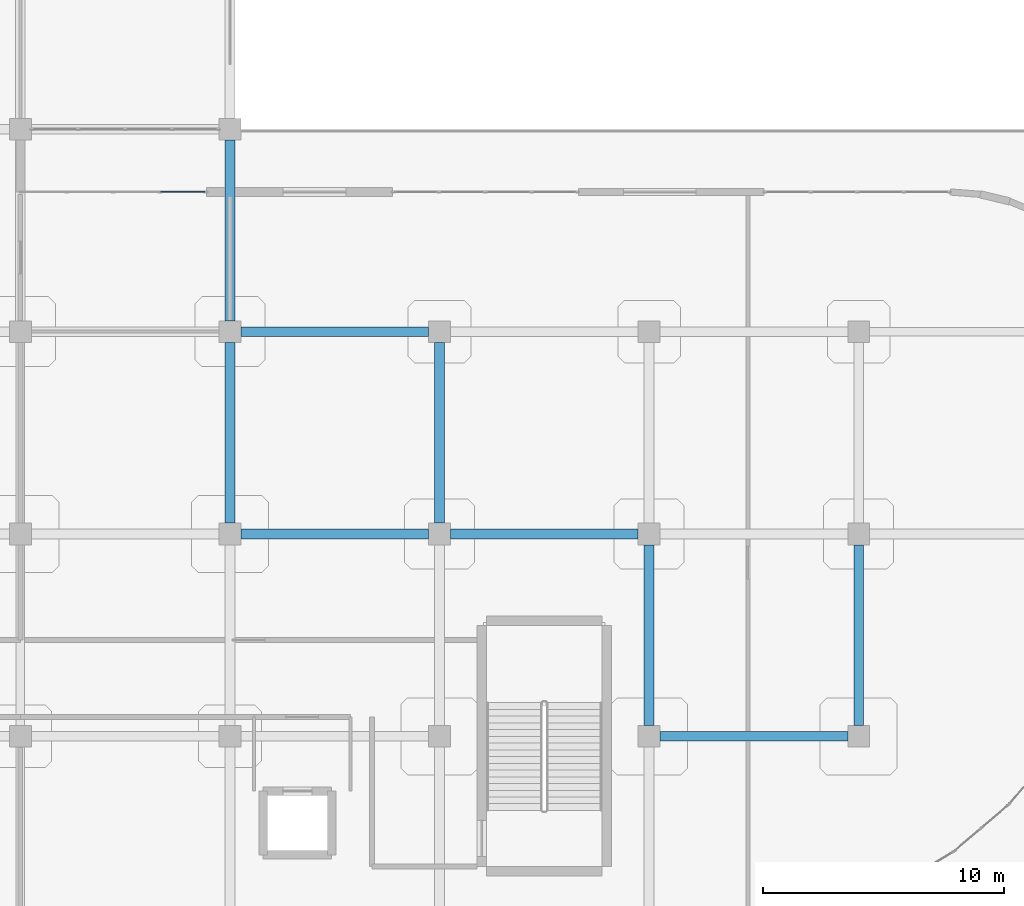
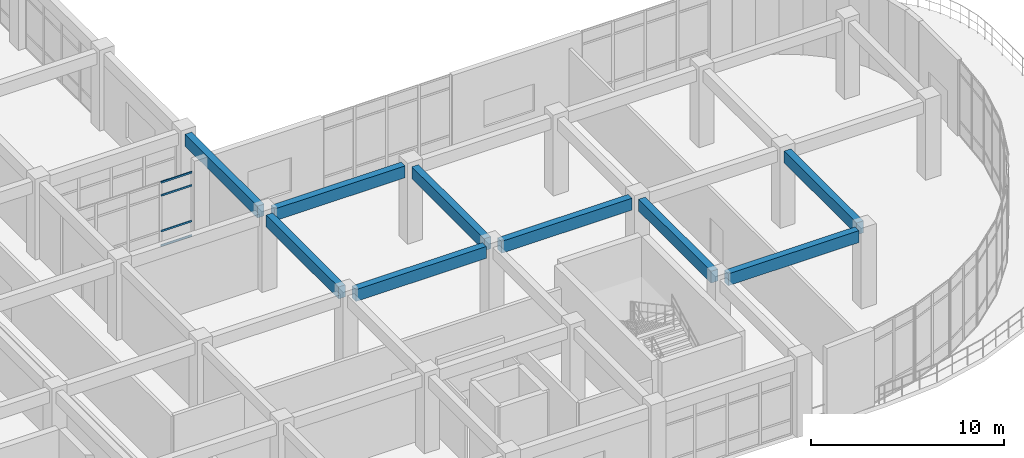
# One storey, part 61 of 120: 9 beams, 4 members, 1 element without a shape of its own.
"""IFC4 building model written with IfcOpenShell, lengths in metres."""

from ifc_helpers import new_model, si_unit, derived_unit, direction, frame, origin, origin_2d, place, context, subcontext, project, spatial, rectangle, hollow_rectangle, extrude, material, layer, layer_set, material_profile, profile_set, type_object, element, aggregate, save


model = new_model("IFC4")

# Units and contexts
model_context = context("Model", 3, precision=1e-05, world=origin(), true_north=direction((0.0, 1.0)))
body_context = subcontext(model_context, "Body", "Model", "MODEL_VIEW")
ifc_project = project(units=[si_unit("LENGTHUNIT", "METRE"), si_unit("AREAUNIT", "SQUARE_METRE"), si_unit("VOLUMEUNIT", "CUBIC_METRE"), si_unit("PLANEANGLEUNIT", "RADIAN"), si_unit("MASSUNIT", "GRAM", prefix="KILO"), derived_unit("THERMALTRANSMITTANCEUNIT", [(si_unit("MASSUNIT", "GRAM", prefix="KILO"), 1), (si_unit("TIMEUNIT", "SECOND"), -3), (si_unit("THERMODYNAMICTEMPERATUREUNIT", "KELVIN"), -1)])], contexts=[model_context])

# Site, building, storey
site_placement = place(None, origin())
site = spatial("IfcSite", under=ifc_project, at=site_placement, CompositionType="ELEMENT")
building_placement = place(site_placement, origin())
building = spatial("IfcBuilding", under=site, at=building_placement, Name="Qinzheling Arcade Emporium", CompositionType="ELEMENT")
storey_placement = place(building_placement, frame((0.0, 0.0, 11.39990234375)))
storey = spatial("IfcBuildingStorey", under=building, at=storey_placement, Name="L03", CompositionType="ELEMENT", Elevation=11.39990234375)

# Curtain wall, members
ifc_material_1 = material(Name="Anodised aluminium and solar-control double glazing", Category="aluminium")
ifc_layer = layer(ifc_material_1, 0.159912109375, Name="Anodised aluminium and solar-control double glazing", Category="aluminium")
ifc_layer_set = layer_set([ifc_layer], Name="Anodised aluminium and solar-control double glazing")
curtain_wall_type = type_object("IfcCurtainWallType", Name="Food Hall Loggia Curtain Wall", PredefinedType="NOTDEFINED", material=ifc_layer_set)
curtain_wall_placement = place(storey_placement, origin())
curtain_wall = element("IfcCurtainWall", 1, at=curtain_wall_placement, inside=storey, type_object=curtain_wall_type, Name="Curtain Wall CW-L03-205", PredefinedType="NOTDEFINED")
ifc_material_2 = material(Name="Anodised aluminium 6063-T6", Category="aluminium")
ifc_material_profile_1 = material_profile(ifc_material_2, hollow_rectangle(XDim=0.06005859375, YDim=0.1201171875, WallThickness=0.00390625, InnerFilletRadius=0.00390625, OuterFilletRadius=0.008056640625, at=origin_2d()), Name="RHS 120x60x4", Category="aluminium")
ifc_profile_set_1 = profile_set([ifc_material_profile_1], Name="Anodised aluminium 6063-T6")
member_type = type_object("IfcMemberType", Name="Curtain Wall Transom RHS120x60", PredefinedType="USERDEFINED", material=ifc_profile_set_1)
member_1_placement = place(storey_placement, frame((127.618408203125, 31.0, 0.030029296875), z_axis=(1.0, 0.0, 0.0), x_axis=(0.0, 1.0, 0.0)))
member_1 = element("IfcMember", 2, at=member_1_placement, type_object=member_type, Name="CW04 transom 4.1", ObjectType="TRANSOM", PredefinedType="USERDEFINED", context=body_context, shape_type="SweptSolid", body=[
    extrude(hollow_rectangle(XDim=0.06005859375, YDim=0.1201171875, WallThickness=0.00390625, InnerFilletRadius=0.00390625, OuterFilletRadius=0.008056640625, at=origin_2d()), origin(), (0.0, 0.0, 1.0), 1.839599609375),
])
member_2_placement = place(storey_placement, frame((127.618408203125, 31.0, 0.9501953125), z_axis=(1.0, 0.0, 0.0), x_axis=(0.0, 1.0, 0.0)))
member_2 = element("IfcMember", 3, at=member_2_placement, type_object=member_type, Name="CW04 transom 4.2", ObjectType="TRANSOM", PredefinedType="USERDEFINED", context=body_context, shape_type="SweptSolid", body=[
    extrude(hollow_rectangle(XDim=0.06005859375, YDim=0.1201171875, WallThickness=0.00390625, InnerFilletRadius=0.00390625, OuterFilletRadius=0.008056640625, at=origin_2d()), origin(), (0.0, 0.0, 1.0), 1.839599609375),
])
member_3_placement = place(storey_placement, frame((127.618408203125, 31.0, 3.205078125), z_axis=(1.0, 0.0, 0.0), x_axis=(0.0, 1.0, 0.0)))
member_3 = element("IfcMember", 4, at=member_3_placement, type_object=member_type, Name="CW04 transom 4.3", ObjectType="TRANSOM", PredefinedType="USERDEFINED", context=body_context, shape_type="SweptSolid", body=[
    extrude(hollow_rectangle(XDim=0.06005859375, YDim=0.1201171875, WallThickness=0.00390625, InnerFilletRadius=0.00390625, OuterFilletRadius=0.008056640625, at=origin_2d()), origin(), (0.0, 0.0, 1.0), 1.839599609375),
])
member_4_placement = place(storey_placement, frame((127.618408203125, 31.0, 4.025146484375), z_axis=(1.0, 0.0, 0.0), x_axis=(0.0, 1.0, 0.0)))
member_4 = element("IfcMember", 5, at=member_4_placement, type_object=member_type, Name="CW04 transom 4.4", ObjectType="TRANSOM", PredefinedType="USERDEFINED", context=body_context, shape_type="SweptSolid", body=[
    extrude(hollow_rectangle(XDim=0.06005859375, YDim=0.1201171875, WallThickness=0.00390625, InnerFilletRadius=0.00390625, OuterFilletRadius=0.008056640625, at=origin_2d()), origin(), (0.0, 0.0, 1.0), 1.839599609375),
])
aggregate(curtain_wall, [member_1, member_2, member_3, member_4])

# Beams
ifc_material_3 = material(Name="Concrete C40", Category="concrete")
ifc_material_profile_2 = material_profile(ifc_material_3, rectangle(XDim=0.39990234375, YDim=0.75, at=origin_2d()), Name="RC 400x750", Category="concrete")
ifc_profile_set_2 = profile_set([ifc_material_profile_2], Name="Concrete C40")
beam_type = type_object("IfcBeamType", Name="RC Interior Tie Beam 400x750 C40", PredefinedType="BEAM", material=ifc_profile_set_2)
beam_placement = place(storey_placement, frame((148.35009765625, 8.39990234375, 4.43017578125), z_axis=(1.0, 0.0, 0.0), x_axis=(0.0, 1.0, 0.0)))
element("IfcBeam", 6, at=beam_placement, inside=storey, type_object=beam_type, Name="Beam BM-L03-X-B-18", PredefinedType="BEAM", context=body_context, shape_type="SweptSolid", body=[
    extrude(rectangle(XDim=0.39990234375, YDim=0.75, at=origin_2d()), origin(), (0.0, 0.0, 1.0), 7.7998046875),
])
for number, where, z_axis, x_axis, name in (
    (7, (130.949951171875, 16.800048828125, 4.43017578125), (1.0, 0.0, 0.0), (0.0, 1.0, 0.0), "Beam BM-L03-X-C-16"),
    (8, (139.64990234375, 16.800048828125, 4.43017578125), (1.0, 0.0, 0.0), (0.0, 1.0, 0.0), "Beam BM-L03-X-C-17"),
    (9, (130.949951171875, 25.199951171875, 4.43017578125), (1.0, 0.0, 0.0), (0.0, 1.0, 0.0), "Beam BM-L03-X-D-16"),
):
    element("IfcBeam", number, at=place(storey_placement, frame(where, z_axis=z_axis, x_axis=x_axis)), inside=storey, type_object=beam_type, Name=name, PredefinedType="BEAM", context=body_context, shape_type="SweptSolid", body=[
        extrude(rectangle(XDim=0.39990234375, YDim=0.75, at=origin_2d()), origin(), (0.0, 0.0, 1.0), 7.800048828125),
    ])
for number, where, z_axis, x_axis, name in (
    (10, (130.5, 17.25, 4.43017578125), (0.0, 1.0, 0.0), (-1.0, 0.0, 0.0), "Beam BM-L03-Y-16-C"),
    (11, (130.5, 25.64990234375, 4.445068359375), (0.0, 1.0, 0.0), (-1.0, 0.0, 0.0), "Beam BM-L03-Y-16-D"),
    (12, (139.199951171875, 17.25, 4.43017578125), (0.0, 1.0, 0.0), (-1.0, 0.0, 0.0), "Beam BM-L03-Y-17-C"),
    (13, (147.89990234375, 8.85009765625, 4.43017578125), (0.0, 1.0, 0.0), (-1.0, 0.0, 0.0), "Beam BM-L03-Y-18-B"),
    (14, (156.60009765625, 8.85009765625, 4.43017578125), (0.0, 1.0, 0.0), (-1.0, 0.0, 0.0), "Beam BM-L03-Y-19-B"),
):
    element("IfcBeam", number, at=place(storey_placement, frame(where, z_axis=z_axis, x_axis=x_axis)), inside=storey, type_object=beam_type, Name=name, PredefinedType="BEAM", context=body_context, shape_type="SweptSolid", body=[
        extrude(rectangle(XDim=0.39990234375, YDim=0.75, at=origin_2d()), origin(), (0.0, 0.0, 1.0), 7.5),
    ])

save(model, "model.ifc")
